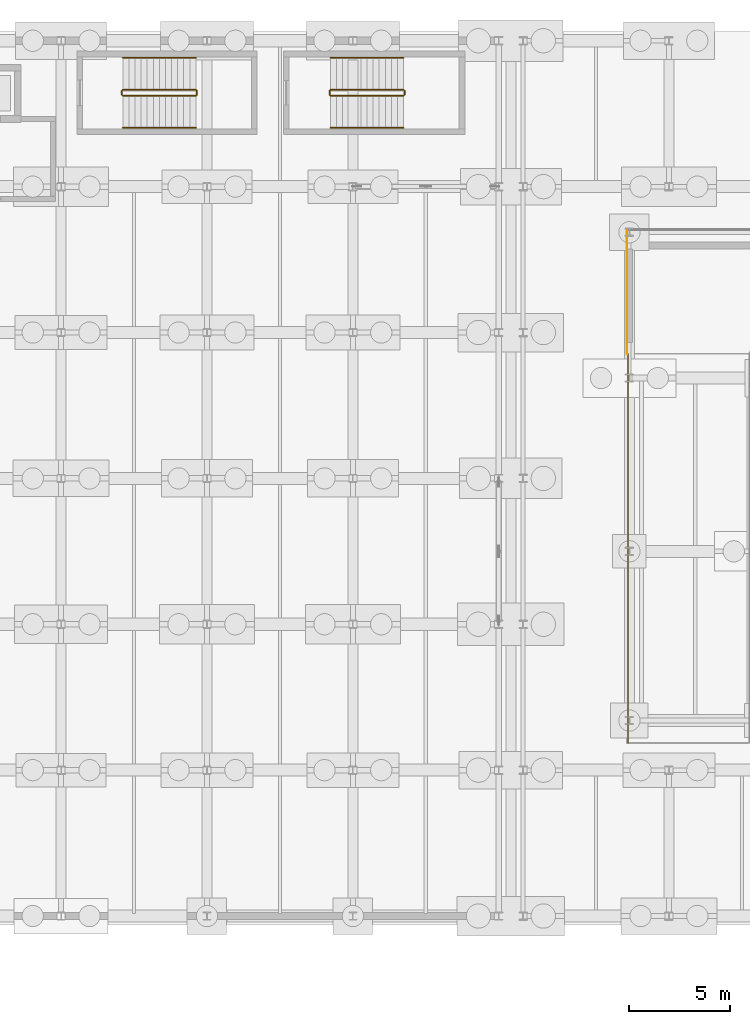
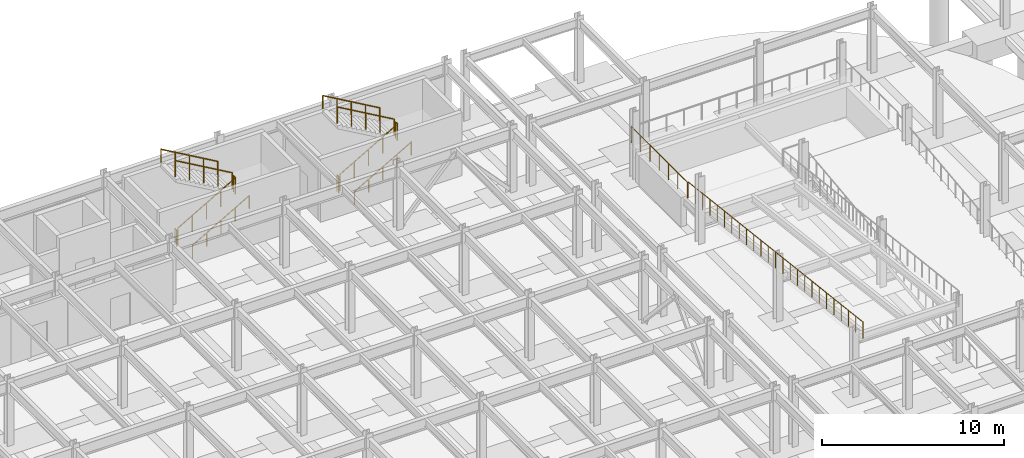
# One storey, part 50 of 54: 17 railings.
"""IFC4 building model written with IfcOpenShell, lengths in metres."""

import ifcopenshell
import ifcopenshell.guid

model = None  # the IFC model being written
_history = None  # IfcOwnerHistory: only IFC2X3 demands one
_inside = {}  # id of a spatial element -> (the spatial element, [elements in it])
_under = {}  # id of a project, library or spatial element -> (it, [spatial elements below it])
_declared = {}  # id of a project -> (the project, [libraries it declares])
_typed = {}  # id of a type object -> (the type object, [elements of that type])
_made_of = {}  # id of a material, layer set ... -> (it, [elements and type objects made of it])


def new_model(schema):
    """Start an empty IFC model of exactly this schema.

    Asked for "IFC4X3", IfcOpenShell would pick the latest addendum, in which some entities
    have other attributes; the version numbers below select the first issue.
    IFC2X3 requires an IfcOwnerHistory on every rooted entity: one is made here for all.
    """
    global model, _history
    if schema == "IFC4X3":
        model = ifcopenshell.file(schema_version=(4, 3, 0, 0))
    else:
        model = ifcopenshell.file(schema=schema)
    _inside.clear()
    _under.clear()
    _declared.clear()
    _typed.clear()
    _made_of.clear()
    _history = None
    if model.schema == "IFC2X3":
        org = make("IfcOrganization", Name="unknown")
        user = make(
            "IfcPersonAndOrganization",
            ThePerson=make("IfcPerson", FamilyName="unknown"),
            TheOrganization=org,
        )
        app = make(
            "IfcApplication",
            ApplicationDeveloper=org,
            Version="unknown",
            ApplicationFullName="unknown",
            ApplicationIdentifier="unknown",
        )
        _history = make(
            "IfcOwnerHistory",
            OwningUser=user,
            OwningApplication=app,
            ChangeAction="ADDED",
            CreationDate=0,
        )
    return model


def make(cls, **values):
    """One entity of the class cls with the attributes given. An attribute that is None is left unset."""
    return model.create_entity(
        cls, **{name: value for name, value in values.items() if value is not None}
    )


def rooted(cls, **values):
    """An entity with a GlobalId (a new one), such as an element, a storey or a relation."""
    return make(cls, GlobalId=ifcopenshell.guid.new(), OwnerHistory=_history, **values)


def si_unit(unit_type, name, prefix=None):
    """IfcSIUnit, for example si_unit("LENGTHUNIT", "METRE", prefix="MILLI")."""
    return make("IfcSIUnit", UnitType=unit_type, Prefix=prefix, Name=name)


def assignment(units):
    """IfcUnitAssignment: the units of a project."""
    return None if units is None else make("IfcUnitAssignment", Units=units)


def point(xyz):
    """IfcCartesianPoint."""
    return None if xyz is None else make("IfcCartesianPoint", Coordinates=xyz)


def direction(xyz):
    """IfcDirection."""
    return None if xyz is None else make("IfcDirection", DirectionRatios=xyz)


def frame(location, z_axis=None, x_axis=None):
    """IfcAxis2Placement3D, a coordinate frame: its origin and axes. An axis left out is left unset."""
    return make(
        "IfcAxis2Placement3D",
        Location=point(location),
        Axis=direction(z_axis),
        RefDirection=direction(x_axis),
    )


def frame_2d(location, x_axis=None):
    """IfcAxis2Placement2D, a coordinate frame in the plane: its origin and x axis."""
    return make(
        "IfcAxis2Placement2D", Location=point(location), RefDirection=direction(x_axis)
    )


def origin():
    """The frame at (0, 0, 0) with its axes left unset."""
    return frame((0.0, 0.0, 0.0))


def origin_2d():
    """The frame at (0, 0) in the plane with its x axis left unset."""
    return frame_2d((0.0, 0.0))


def place(relative_to, where):
    """IfcLocalPlacement: puts the frame where relative to a parent placement (None: the world)."""
    return make(
        "IfcLocalPlacement", PlacementRelTo=relative_to, RelativePlacement=where
    )


def context(
    kind, dimensions, precision=None, world=None, true_north=None, identifier=None
):
    """IfcGeometricRepresentationContext, for example the 3D "Model" context."""
    return make(
        "IfcGeometricRepresentationContext",
        ContextIdentifier=identifier,
        ContextType=kind,
        CoordinateSpaceDimension=dimensions,
        Precision=precision,
        WorldCoordinateSystem=world,
        TrueNorth=true_north,
    )


def subcontext(parent, identifier, kind, view, scale=None):
    """IfcGeometricRepresentationSubContext, for example "Body" below "Model"."""
    return make(
        "IfcGeometricRepresentationSubContext",
        ContextIdentifier=identifier,
        ContextType=kind,
        ParentContext=parent,
        TargetScale=scale,
        TargetView=view,
    )


def project(units=None, contexts=None):
    """IfcProject with its units and contexts."""
    return rooted(
        "IfcProject",
        Name="project",
        RepresentationContexts=contexts,
        UnitsInContext=assignment(units),
    )


def spatial(cls, under=None, at=None, **own):
    """A site, building, storey or space (cls), placed at a placement, below another one or the project."""
    s = rooted(cls, ObjectPlacement=at, **own)
    if under is not None:
        _under.setdefault(under.id(), (under, []))[1].append(s)
    return s


def profile(cls, at=None, kind="AREA", **sizes):
    """A parametric profile (cls). Its sizes go by their IFC names, for example OverallWidth=200.0."""
    return make(cls, ProfileType=kind, Position=at, **sizes)


def circle(**sizes):
    """IfcCircleProfileDef."""
    return profile("IfcCircleProfileDef", **sizes)


def extrude(swept, where, along, depth):
    """IfcExtrudedAreaSolid: the profile swept, set in the frame where, extruded along a direction by depth."""
    return make(
        "IfcExtrudedAreaSolid",
        SweptArea=swept,
        Position=where,
        ExtrudedDirection=direction(along),
        Depth=depth,
    )


def shape(context_of_items, identifier, shape_type, items):
    """IfcShapeRepresentation: the items that make up one representation, for example the "Body"."""
    return make(
        "IfcShapeRepresentation",
        ContextOfItems=context_of_items,
        RepresentationIdentifier=identifier,
        RepresentationType=shape_type,
        Items=items,
    )


def material(Name=None, Category=None):
    """IfcMaterial."""
    return make("IfcMaterial", Name=Name, Category=Category)


def layer(
    of_material, thickness, ventilated=None, Name=None, Category=None, Priority=None
):
    """IfcMaterialLayer: one layer of a wall or slab, of a material (None: an air gap)."""
    return make(
        "IfcMaterialLayer",
        Material=of_material,
        LayerThickness=thickness,
        IsVentilated=ventilated,
        Name=Name,
        Category=Category,
        Priority=Priority,
    )


def layer_set(layers, Name=None):
    """IfcMaterialLayerSet."""
    return make("IfcMaterialLayerSet", MaterialLayers=layers, LayerSetName=Name)


def made_of(thing, what):
    """Note that an element or type object is made of a material, layer set ...; save() writes the relation."""
    if what is not None:
        _made_of.setdefault(what.id(), (what, []))[1].append(thing)
    return thing


def type_object(cls, material=None, **own):
    """A type object (cls), such as IfcWallType, which elements share."""
    return made_of(rooted(cls, **own), material)


def element(
    cls,
    number,
    at=None,
    inside=None,
    cuts=None,
    type_object=None,
    material=None,
    context=None,
    identifier="Body",
    shape_type=None,
    held_by="IfcProductDefinitionShape",
    body=None,
    shapes=None,
    **own,
):
    """One element of the class cls, such as IfcWall. Its Tag is "e" and its number.

    at: its placement. inside: the storey or other place that contains it. cuts: it is an
    opening in that element (IfcRelVoidsElement). A single representation is given by context,
    identifier, shape_type and body (its items); several are given by shapes. held_by: the class
    of the entity that holds the representations. save() writes the other relations.
    """
    e = rooted(cls, Tag="e%d" % number, ObjectPlacement=at, **own)
    if body is not None:
        shapes = [shape(context, identifier, shape_type, body)]
    if shapes is not None:
        e.Representation = make(held_by, Representations=shapes)
    if inside is not None:
        _inside.setdefault(inside.id(), (inside, []))[1].append(e)
    if cuts is not None:
        rooted(
            "IfcRelVoidsElement", RelatingBuildingElement=cuts, RelatedOpeningElement=e
        )
    if type_object is not None:
        _typed.setdefault(type_object.id(), (type_object, []))[1].append(e)
    return made_of(e, material)


def aggregate(whole, parts):
    """IfcRelAggregates: a whole, such as a stair, and the parts it consists of."""
    return rooted("IfcRelAggregates", RelatingObject=whole, RelatedObjects=parts)


def save(model, path):
    """Write the relations noted so far, then the file.

    IfcRelAggregates (storeys below a building ...), IfcRelContainedInSpatialStructure (elements
    in a storey), IfcRelDefinesByType, IfcRelAssociatesMaterial and IfcRelDeclares: one each for
    every whole, place, type object, material and project.
    """
    for whole, parts in _under.values():
        aggregate(whole, parts)
    for where, things in _inside.values():
        rooted(
            "IfcRelContainedInSpatialStructure",
            RelatedElements=things,
            RelatingStructure=where,
        )
    for kind, things in _typed.values():
        rooted("IfcRelDefinesByType", RelatedObjects=things, RelatingType=kind)
    for what, things in _made_of.values():
        rooted("IfcRelAssociatesMaterial", RelatedObjects=things, RelatingMaterial=what)
    for by, libraries in _declared.values():
        rooted("IfcRelDeclares", RelatingContext=by, RelatedDefinitions=libraries)
    model.write(path)


model = new_model("IFC4")

# Units and contexts
model_context = context("Model", 3, precision=1e-05, world=origin(), true_north=direction((0.0, 1.0)))
body_context = subcontext(model_context, "Body", "Model", "MODEL_VIEW")
ifc_project = project(units=[si_unit("LENGTHUNIT", "METRE"), si_unit("AREAUNIT", "SQUARE_METRE"), si_unit("VOLUMEUNIT", "CUBIC_METRE"), si_unit("PLANEANGLEUNIT", "RADIAN"), si_unit("MASSUNIT", "GRAM", prefix="KILO")], contexts=[model_context])

# Site, building, storey
site_placement = place(None, origin())
site = spatial("IfcSite", under=ifc_project, at=site_placement, CompositionType="ELEMENT")
building_placement = place(site_placement, origin())
building = spatial("IfcBuilding", under=site, at=building_placement, Name="Vaelcorin Mobility Hub", CompositionType="ELEMENT")
storey_placement = place(building_placement, frame((0.0, 0.0, -4.5)))
storey = spatial("IfcBuildingStorey", under=building, at=storey_placement, Name="B1", CompositionType="ELEMENT", Elevation=-4.5)

# Railings
ifc_material_1 = material(Name="Galvanised structural steel ASTM A36", Category="steel")
ifc_layer_1 = layer(ifc_material_1, 0.070068359375)
ifc_layer_set_1 = layer_set([ifc_layer_1], Name="Galvanised structural steel ASTM A36")
railing_type_1 = type_object("IfcRailingType", Name="RL-GUARD-1100", PredefinedType="BALUSTRADE", material=ifc_layer_set_1)
railing_1_placement = place(storey_placement, frame((128.780029296875, 104.5400390625, 2.25)))
element("IfcRailing", 1, at=railing_1_placement, inside=storey, type_object=railing_type_1, Name="B1 Ramp Guard GR-V2E-B1-FL2-W-01", PredefinedType="BALUSTRADE", context=body_context, shape_type="SweptSolid", body=[
    extrude(circle(Radius=0.02392578125, at=origin_2d()), frame((0.0, 0.0, 1.076171875), z_axis=(0.0, -0.993200909651, 0.116412856111), x_axis=(1.0, 0.0, 0.0)), (0.0, 0.0, 1.0), 4.82763671875),
    extrude(circle(Radius=0.02099609375, at=origin_2d()), origin(), (0.0, 0.0, 1.0), 1.052001953125),
    extrude(circle(Radius=0.02099609375, at=origin_2d()), frame((0.0, -0.799072265625, 0.09375)), (0.0, 0.0, 1.0), 1.052001953125),
    extrude(circle(Radius=0.02099609375, at=origin_2d()), frame((0.0, -1.598388671875, 0.187255859375)), (0.0, 0.0, 1.0), 1.052001953125),
    extrude(circle(Radius=0.02099609375, at=origin_2d()), frame((0.0, -2.3974609375, 0.281005859375)), (0.0, 0.0, 1.0), 1.052001953125),
    extrude(circle(Radius=0.02099609375, at=origin_2d()), frame((0.0, -3.196533203125, 0.374755859375)), (0.0, 0.0, 1.0), 1.052001953125),
    extrude(circle(Radius=0.02099609375, at=origin_2d()), frame((0.0, -3.995849609375, 0.46826171875)), (0.0, 0.0, 1.0), 1.052001953125),
    extrude(circle(Radius=0.02099609375, at=origin_2d()), frame((0.0, -4.794921875, 0.56201171875)), (0.0, 0.0, 1.0), 1.052001953125),
])
railing_2_placement = place(storey_placement, frame((128.780029296875, 99.7451171875, 2.81201171875)))
element("IfcRailing", 2, at=railing_2_placement, inside=storey, type_object=railing_type_1, Name="B1 Ramp Guard GR-V2E-B1-FL2-W-02", PredefinedType="BALUSTRADE", context=body_context, shape_type="SweptSolid", body=[
    extrude(circle(Radius=0.02392578125, at=origin_2d()), frame((0.0, 0.0, 1.076171875), z_axis=(0.0, -0.993178189737, 0.116606532536), x_axis=(1.0, 0.0, 0.0)), (0.0, 0.0, 1.0), 4.828125),
    extrude(circle(Radius=0.02099609375, at=origin_2d()), origin(), (0.0, 0.0, 1.0), 1.052001953125),
    extrude(circle(Radius=0.02099609375, at=origin_2d()), frame((0.0, -0.79931640625, 0.09375)), (0.0, 0.0, 1.0), 1.052001953125),
    extrude(circle(Radius=0.02099609375, at=origin_2d()), frame((0.0, -1.598388671875, 0.187744140625)), (0.0, 0.0, 1.0), 1.052001953125),
    extrude(circle(Radius=0.02099609375, at=origin_2d()), frame((0.0, -2.3974609375, 0.281494140625)), (0.0, 0.0, 1.0), 1.052001953125),
    extrude(circle(Radius=0.02099609375, at=origin_2d()), frame((0.0, -3.19677734375, 0.375244140625)), (0.0, 0.0, 1.0), 1.052001953125),
    extrude(circle(Radius=0.02099609375, at=origin_2d()), frame((0.0, -3.99609375, 0.46923828125)), (0.0, 0.0, 1.0), 1.052001953125),
    extrude(circle(Radius=0.02099609375, at=origin_2d()), frame((0.0, -4.795166015625, 0.56298828125)), (0.0, 0.0, 1.0), 1.052001953125),
])
railing_3_placement = place(storey_placement, frame((128.780029296875, 94.949951171875, 3.375)))
element("IfcRailing", 3, at=railing_3_placement, inside=storey, type_object=railing_type_1, Name="B1 Ramp Guard GR-V2E-B1-FL2-W-03", PredefinedType="BALUSTRADE", context=body_context, shape_type="SweptSolid", body=[
    extrude(circle(Radius=0.02392578125, at=origin_2d()), frame((0.0, 0.0, 1.076171875), z_axis=(0.0, -0.993177502128, 0.116612388997), x_axis=(1.0, 0.0, 0.0)), (0.0, 0.0, 1.0), 4.827880859375),
    extrude(circle(Radius=0.02099609375, at=origin_2d()), origin(), (0.0, 0.0, 1.0), 1.052001953125),
    extrude(circle(Radius=0.02099609375, at=origin_2d()), frame((0.0, -0.799072265625, 0.09375)), (0.0, 0.0, 1.0), 1.052001953125),
    extrude(circle(Radius=0.02099609375, at=origin_2d()), frame((0.0, -1.598388671875, 0.187744140625)), (0.0, 0.0, 1.0), 1.052001953125),
    extrude(circle(Radius=0.02099609375, at=origin_2d()), frame((0.0, -2.3974609375, 0.281494140625)), (0.0, 0.0, 1.0), 1.052001953125),
    extrude(circle(Radius=0.02099609375, at=origin_2d()), frame((0.0, -3.196533203125, 0.375244140625)), (0.0, 0.0, 1.0), 1.052001953125),
    extrude(circle(Radius=0.02099609375, at=origin_2d()), frame((0.0, -3.995849609375, 0.46923828125)), (0.0, 0.0, 1.0), 1.052001953125),
    extrude(circle(Radius=0.02099609375, at=origin_2d()), frame((0.0, -4.794921875, 0.56298828125)), (0.0, 0.0, 1.0), 1.052001953125),
])
railing_4_placement = place(storey_placement, frame((128.780029296875, 90.155029296875, 3.93798828125)))
element("IfcRailing", 4, at=railing_4_placement, inside=storey, type_object=railing_type_1, Name="B1 Ramp Guard GR-V2E-B1-FL2-W-04", PredefinedType="BALUSTRADE", context=body_context, shape_type="SweptSolid", body=[
    extrude(circle(Radius=0.02392578125, at=origin_2d()), frame((0.0, 0.0, 1.076171875), z_axis=(0.0, -0.993200909651, 0.116412856111), x_axis=(1.0, 0.0, 0.0)), (0.0, 0.0, 1.0), 4.82763671875),
    extrude(circle(Radius=0.02099609375, at=origin_2d()), origin(), (0.0, 0.0, 1.0), 1.052001953125),
    extrude(circle(Radius=0.02099609375, at=origin_2d()), frame((0.0, -0.799072265625, 0.09375)), (0.0, 0.0, 1.0), 1.052001953125),
    extrude(circle(Radius=0.02099609375, at=origin_2d()), frame((0.0, -1.598388671875, 0.187255859375)), (0.0, 0.0, 1.0), 1.052001953125),
    extrude(circle(Radius=0.02099609375, at=origin_2d()), frame((0.0, -2.3974609375, 0.281005859375)), (0.0, 0.0, 1.0), 1.052001953125),
    extrude(circle(Radius=0.02099609375, at=origin_2d()), frame((0.0, -3.196533203125, 0.374755859375)), (0.0, 0.0, 1.0), 1.052001953125),
    extrude(circle(Radius=0.02099609375, at=origin_2d()), frame((0.0, -3.995849609375, 0.46826171875)), (0.0, 0.0, 1.0), 1.052001953125),
    extrude(circle(Radius=0.02099609375, at=origin_2d()), frame((0.0, -4.794921875, 0.56201171875)), (0.0, 0.0, 1.0), 1.052001953125),
])
railing_5_placement = place(storey_placement, frame((128.72998046875, 104.56005859375, 2.25)))
element("IfcRailing", 5, at=railing_5_placement, inside=storey, type_object=railing_type_1, Name="B1 Perimeter Guard GR-V2E-B1-LND-01", PredefinedType="BALUSTRADE", context=body_context, shape_type="SweptSolid", body=[
    extrude(circle(Radius=0.02392578125, at=origin_2d()), frame((0.0, 0.0, 1.076171875), z_axis=(0.0, 1.0, 0.0), x_axis=(-1.0, 0.0, 0.0)), (0.0, 0.0, 1.0), 6.10986328125),
    extrude(circle(Radius=0.02099609375, at=origin_2d()), origin(), (0.0, 0.0, 1.0), 1.052001953125),
    extrude(circle(Radius=0.02099609375, at=origin_2d()), frame((0.0, 1.018310546875, 0.0)), (0.0, 0.0, 1.0), 1.052001953125),
    extrude(circle(Radius=0.02099609375, at=origin_2d()), frame((0.0, 2.03662109375, 0.0)), (0.0, 0.0, 1.0), 1.052001953125),
    extrude(circle(Radius=0.02099609375, at=origin_2d()), frame((0.0, 3.054931640625, 0.0)), (0.0, 0.0, 1.0), 1.052001953125),
    extrude(circle(Radius=0.02099609375, at=origin_2d()), frame((0.0, 4.0732421875, 0.0)), (0.0, 0.0, 1.0), 1.052001953125),
    extrude(circle(Radius=0.02099609375, at=origin_2d()), frame((0.0, 5.091552734375, 0.0)), (0.0, 0.0, 1.0), 1.052001953125),
    extrude(circle(Radius=0.02099609375, at=origin_2d()), frame((0.0, 6.10986328125, 0.0)), (0.0, 0.0, 1.0), 1.052001953125),
])
ifc_material_2 = material(Name="Brushed stainless steel 316L", Category="steel")
ifc_layer_2 = layer(ifc_material_2, 0.048095703125)
ifc_layer_set_2 = layer_set([ifc_layer_2], Name="Brushed stainless steel 316L")
railing_type_2 = type_object("IfcRailingType", Name="RL-STAIR-GRD", PredefinedType="GUARDRAIL", material=ifc_layer_set_2)
railing_6_placement = place(storey_placement, frame((103.85009765625, 117.280029296875, 0.173095703125)))
element("IfcRailing", 6, at=railing_6_placement, inside=storey, type_object=railing_type_2, Name="B1 ST4 stair guard 1", PredefinedType="GUARDRAIL", context=body_context, shape_type="SweptSolid", body=[
    extrude(circle(Radius=0.02392578125, at=origin_2d()), frame((0.0, 0.0, 1.076171875), z_axis=(0.866178740119, 0.0, 0.499734319579), x_axis=(0.0, 1.0, 0.0)), (0.0, 0.0, 1.0), 4.156005859375),
    extrude(circle(Radius=0.02099609375, at=origin_2d()), origin(), (0.0, 0.0, 1.0), 1.052001953125),
    extrude(circle(Radius=0.02099609375, at=origin_2d()), frame((0.89990234375, 0.0, 0.519287109375)), (0.0, 0.0, 1.0), 1.052001953125),
    extrude(circle(Radius=0.02099609375, at=origin_2d()), frame((1.7998046875, 0.0, 1.03857421875)), (0.0, 0.0, 1.0), 1.052001953125),
    extrude(circle(Radius=0.02099609375, at=origin_2d()), frame((2.699951171875, 0.0, 1.5576171875)), (0.0, 0.0, 1.0), 1.052001953125),
    extrude(circle(Radius=0.02099609375, at=origin_2d()), frame((3.599853515625, 0.0, 2.076904296875)), (0.0, 0.0, 1.0), 1.052001953125),
])
railing_7_placement = place(storey_placement, frame((107.5, 117.330078125, 2.25)))
element("IfcRailing", 7, at=railing_7_placement, inside=storey, type_object=railing_type_2, Name="B1 ST4 stair guard 2", PredefinedType="GUARDRAIL", context=body_context, shape_type="SweptSolid", body=[
    extrude(circle(Radius=0.02392578125, at=origin_2d()), frame((0.0, 0.0, 1.076171875), z_axis=(0.0, 1.0, 0.0), x_axis=(-1.0, 0.0, 0.0)), (0.0, 0.0, 1.0), 0.199951171875),
    extrude(circle(Radius=0.02099609375, at=origin_2d()), origin(), (0.0, 0.0, 1.0), 1.052001953125),
    extrude(circle(Radius=0.02099609375, at=origin_2d()), frame((0.0, 0.199951171875, 0.0)), (0.0, 0.0, 1.0), 1.052001953125),
])
railing_8_placement = place(storey_placement, frame((107.449951171875, 117.580078125, 2.423095703125)))
element("IfcRailing", 8, at=railing_8_placement, inside=storey, type_object=railing_type_2, Name="B1 ST4 stair guard 3", PredefinedType="GUARDRAIL", context=body_context, shape_type="SweptSolid", body=[
    extrude(circle(Radius=0.02392578125, at=origin_2d()), frame((0.0, 0.0, 1.076171875), z_axis=(-0.866178740119, 0.0, 0.499734319579), x_axis=(0.0, -1.0, 0.0)), (0.0, 0.0, 1.0), 4.156005859375),
    extrude(circle(Radius=0.02099609375, at=origin_2d()), origin(), (0.0, 0.0, 1.0), 1.052001953125),
    extrude(circle(Radius=0.02099609375, at=origin_2d()), frame((-0.89990234375, 0.0, 0.519287109375)), (0.0, 0.0, 1.0), 1.052001953125),
    extrude(circle(Radius=0.02099609375, at=origin_2d()), frame((-1.7998046875, 0.0, 1.03857421875)), (0.0, 0.0, 1.0), 1.052001953125),
    extrude(circle(Radius=0.02099609375, at=origin_2d()), frame((-2.699951171875, 0.0, 1.5576171875)), (0.0, 0.0, 1.0), 1.052001953125),
    extrude(circle(Radius=0.02099609375, at=origin_2d()), frame((-3.599853515625, 0.0, 2.076904296875)), (0.0, 0.0, 1.0), 1.052001953125),
])
railing_9_placement = place(storey_placement, frame((103.800048828125, 117.330078125, 0.0)))
element("IfcRailing", 9, at=railing_9_placement, inside=storey, type_object=railing_type_2, Name="B1 ST4 stair guard 4", PredefinedType="GUARDRAIL", context=body_context, shape_type="SweptSolid", body=[
    extrude(circle(Radius=0.02392578125, at=origin_2d()), frame((0.0, 0.0, 1.076171875), z_axis=(0.0, 1.0, 0.0), x_axis=(-1.0, 0.0, 0.0)), (0.0, 0.0, 1.0), 0.199951171875),
    extrude(circle(Radius=0.02099609375, at=origin_2d()), origin(), (0.0, 0.0, 1.0), 1.052001953125),
    extrude(circle(Radius=0.02099609375, at=origin_2d()), frame((0.0, 0.199951171875, 0.0)), (0.0, 0.0, 1.0), 1.052001953125),
])
railing_10_placement = place(storey_placement, frame((114.10009765625, 117.280029296875, 0.173095703125)))
element("IfcRailing", 10, at=railing_10_placement, inside=storey, type_object=railing_type_2, Name="B1 ST9 stair guard 1", PredefinedType="GUARDRAIL", context=body_context, shape_type="SweptSolid", body=[
    extrude(circle(Radius=0.02392578125, at=origin_2d()), frame((0.0, 0.0, 1.076171875), z_axis=(0.866178740119, 0.0, 0.499734319579), x_axis=(0.0, 1.0, 0.0)), (0.0, 0.0, 1.0), 4.156005859375),
    extrude(circle(Radius=0.02099609375, at=origin_2d()), origin(), (0.0, 0.0, 1.0), 1.052001953125),
    extrude(circle(Radius=0.02099609375, at=origin_2d()), frame((0.89990234375, 0.0, 0.519287109375)), (0.0, 0.0, 1.0), 1.052001953125),
    extrude(circle(Radius=0.02099609375, at=origin_2d()), frame((1.7998046875, 0.0, 1.03857421875)), (0.0, 0.0, 1.0), 1.052001953125),
    extrude(circle(Radius=0.02099609375, at=origin_2d()), frame((2.699951171875, 0.0, 1.5576171875)), (0.0, 0.0, 1.0), 1.052001953125),
    extrude(circle(Radius=0.02099609375, at=origin_2d()), frame((3.599853515625, 0.0, 2.076904296875)), (0.0, 0.0, 1.0), 1.052001953125),
])
railing_11_placement = place(storey_placement, frame((117.75, 117.330078125, 2.25)))
element("IfcRailing", 11, at=railing_11_placement, inside=storey, type_object=railing_type_2, Name="B1 ST9 stair guard 2", PredefinedType="GUARDRAIL", context=body_context, shape_type="SweptSolid", body=[
    extrude(circle(Radius=0.02392578125, at=origin_2d()), frame((0.0, 0.0, 1.076171875), z_axis=(0.0, 1.0, 0.0), x_axis=(-1.0, 0.0, 0.0)), (0.0, 0.0, 1.0), 0.199951171875),
    extrude(circle(Radius=0.02099609375, at=origin_2d()), origin(), (0.0, 0.0, 1.0), 1.052001953125),
    extrude(circle(Radius=0.02099609375, at=origin_2d()), frame((0.0, 0.199951171875, 0.0)), (0.0, 0.0, 1.0), 1.052001953125),
])
railing_12_placement = place(storey_placement, frame((117.699951171875, 117.580078125, 2.423095703125)))
element("IfcRailing", 12, at=railing_12_placement, inside=storey, type_object=railing_type_2, Name="B1 ST9 stair guard 3", PredefinedType="GUARDRAIL", context=body_context, shape_type="SweptSolid", body=[
    extrude(circle(Radius=0.02392578125, at=origin_2d()), frame((0.0, 0.0, 1.076171875), z_axis=(-0.866178740119, 0.0, 0.499734319579), x_axis=(0.0, -1.0, 0.0)), (0.0, 0.0, 1.0), 4.156005859375),
    extrude(circle(Radius=0.02099609375, at=origin_2d()), origin(), (0.0, 0.0, 1.0), 1.052001953125),
    extrude(circle(Radius=0.02099609375, at=origin_2d()), frame((-0.89990234375, 0.0, 0.519287109375)), (0.0, 0.0, 1.0), 1.052001953125),
    extrude(circle(Radius=0.02099609375, at=origin_2d()), frame((-1.7998046875, 0.0, 1.03857421875)), (0.0, 0.0, 1.0), 1.052001953125),
    extrude(circle(Radius=0.02099609375, at=origin_2d()), frame((-2.699951171875, 0.0, 1.5576171875)), (0.0, 0.0, 1.0), 1.052001953125),
    extrude(circle(Radius=0.02099609375, at=origin_2d()), frame((-3.599853515625, 0.0, 2.076904296875)), (0.0, 0.0, 1.0), 1.052001953125),
])
railing_13_placement = place(storey_placement, frame((114.050048828125, 117.330078125, 0.0)))
element("IfcRailing", 13, at=railing_13_placement, inside=storey, type_object=railing_type_2, Name="B1 ST9 stair guard 4", PredefinedType="GUARDRAIL", context=body_context, shape_type="SweptSolid", body=[
    extrude(circle(Radius=0.02392578125, at=origin_2d()), frame((0.0, 0.0, 1.076171875), z_axis=(0.0, 1.0, 0.0), x_axis=(-1.0, 0.0, 0.0)), (0.0, 0.0, 1.0), 0.199951171875),
    extrude(circle(Radius=0.02099609375, at=origin_2d()), origin(), (0.0, 0.0, 1.0), 1.052001953125),
    extrude(circle(Radius=0.02099609375, at=origin_2d()), frame((0.0, 0.199951171875, 0.0)), (0.0, 0.0, 1.0), 1.052001953125),
])
ifc_layer_3 = layer(ifc_material_2, 0.048095703125)
ifc_layer_set_3 = layer_set([ifc_layer_3], Name="Brushed stainless steel 316L")
railing_type_3 = type_object("IfcRailingType", Name="RL-STAIR-HR", PredefinedType="HANDRAIL", material=ifc_layer_set_3)
railing_14_placement = place(storey_placement, frame((103.85009765625, 115.699951171875, 0.173095703125)))
element("IfcRailing", 14, at=railing_14_placement, inside=storey, type_object=railing_type_3, Name="B1 ST4 stair handrail 1", PredefinedType="HANDRAIL", context=body_context, shape_type="SweptSolid", body=[
    extrude(circle(Radius=0.02392578125, at=origin_2d()), frame((0.0, 0.0, 0.8759765625), z_axis=(0.866178740119, 0.0, 0.499734319579), x_axis=(0.0, 1.0, 0.0)), (0.0, 0.0, 1.0), 4.156005859375),
    extrude(circle(Radius=0.02099609375, at=origin_2d()), origin(), (0.0, 0.0, 1.0), 0.851806640625),
    extrude(circle(Radius=0.02099609375, at=origin_2d()), frame((0.89990234375, 0.0, 0.519287109375)), (0.0, 0.0, 1.0), 0.851806640625),
    extrude(circle(Radius=0.02099609375, at=origin_2d()), frame((1.7998046875, 0.0, 1.03857421875)), (0.0, 0.0, 1.0), 0.851806640625),
    extrude(circle(Radius=0.02099609375, at=origin_2d()), frame((2.699951171875, 0.0, 1.5576171875)), (0.0, 0.0, 1.0), 0.851806640625),
    extrude(circle(Radius=0.02099609375, at=origin_2d()), frame((3.599853515625, 0.0, 2.076904296875)), (0.0, 0.0, 1.0), 0.851806640625),
])
railing_15_placement = place(storey_placement, frame((107.449951171875, 119.159912109375, 2.423095703125)))
element("IfcRailing", 15, at=railing_15_placement, inside=storey, type_object=railing_type_3, Name="B1 ST4 stair handrail 2", PredefinedType="HANDRAIL", context=body_context, shape_type="SweptSolid", body=[
    extrude(circle(Radius=0.02392578125, at=origin_2d()), frame((0.0, 0.0, 0.8759765625), z_axis=(-0.866178740119, 0.0, 0.499734319579), x_axis=(0.0, -1.0, 0.0)), (0.0, 0.0, 1.0), 4.156005859375),
    extrude(circle(Radius=0.02099609375, at=origin_2d()), origin(), (0.0, 0.0, 1.0), 0.851806640625),
    extrude(circle(Radius=0.02099609375, at=origin_2d()), frame((-0.89990234375, 0.0, 0.519287109375)), (0.0, 0.0, 1.0), 0.851806640625),
    extrude(circle(Radius=0.02099609375, at=origin_2d()), frame((-1.7998046875, 0.0, 1.03857421875)), (0.0, 0.0, 1.0), 0.851806640625),
    extrude(circle(Radius=0.02099609375, at=origin_2d()), frame((-2.699951171875, 0.0, 1.5576171875)), (0.0, 0.0, 1.0), 0.851806640625),
    extrude(circle(Radius=0.02099609375, at=origin_2d()), frame((-3.599853515625, 0.0, 2.076904296875)), (0.0, 0.0, 1.0), 0.851806640625),
])
railing_16_placement = place(storey_placement, frame((114.10009765625, 115.699951171875, 0.173095703125)))
element("IfcRailing", 16, at=railing_16_placement, inside=storey, type_object=railing_type_3, Name="B1 ST9 stair handrail 1", PredefinedType="HANDRAIL", context=body_context, shape_type="SweptSolid", body=[
    extrude(circle(Radius=0.02392578125, at=origin_2d()), frame((0.0, 0.0, 0.8759765625), z_axis=(0.866178740119, 0.0, 0.499734319579), x_axis=(0.0, 1.0, 0.0)), (0.0, 0.0, 1.0), 4.156005859375),
    extrude(circle(Radius=0.02099609375, at=origin_2d()), origin(), (0.0, 0.0, 1.0), 0.851806640625),
    extrude(circle(Radius=0.02099609375, at=origin_2d()), frame((0.89990234375, 0.0, 0.519287109375)), (0.0, 0.0, 1.0), 0.851806640625),
    extrude(circle(Radius=0.02099609375, at=origin_2d()), frame((1.7998046875, 0.0, 1.03857421875)), (0.0, 0.0, 1.0), 0.851806640625),
    extrude(circle(Radius=0.02099609375, at=origin_2d()), frame((2.699951171875, 0.0, 1.5576171875)), (0.0, 0.0, 1.0), 0.851806640625),
    extrude(circle(Radius=0.02099609375, at=origin_2d()), frame((3.599853515625, 0.0, 2.076904296875)), (0.0, 0.0, 1.0), 0.851806640625),
])
railing_17_placement = place(storey_placement, frame((117.699951171875, 119.159912109375, 2.423095703125)))
element("IfcRailing", 17, at=railing_17_placement, inside=storey, type_object=railing_type_3, Name="B1 ST9 stair handrail 2", PredefinedType="HANDRAIL", context=body_context, shape_type="SweptSolid", body=[
    extrude(circle(Radius=0.02392578125, at=origin_2d()), frame((0.0, 0.0, 0.8759765625), z_axis=(-0.866178740119, 0.0, 0.499734319579), x_axis=(0.0, -1.0, 0.0)), (0.0, 0.0, 1.0), 4.156005859375),
    extrude(circle(Radius=0.02099609375, at=origin_2d()), origin(), (0.0, 0.0, 1.0), 0.851806640625),
    extrude(circle(Radius=0.02099609375, at=origin_2d()), frame((-0.89990234375, 0.0, 0.519287109375)), (0.0, 0.0, 1.0), 0.851806640625),
    extrude(circle(Radius=0.02099609375, at=origin_2d()), frame((-1.7998046875, 0.0, 1.03857421875)), (0.0, 0.0, 1.0), 0.851806640625),
    extrude(circle(Radius=0.02099609375, at=origin_2d()), frame((-2.699951171875, 0.0, 1.5576171875)), (0.0, 0.0, 1.0), 0.851806640625),
    extrude(circle(Radius=0.02099609375, at=origin_2d()), frame((-3.599853515625, 0.0, 2.076904296875)), (0.0, 0.0, 1.0), 0.851806640625),
])

save(model, "model.ifc")
